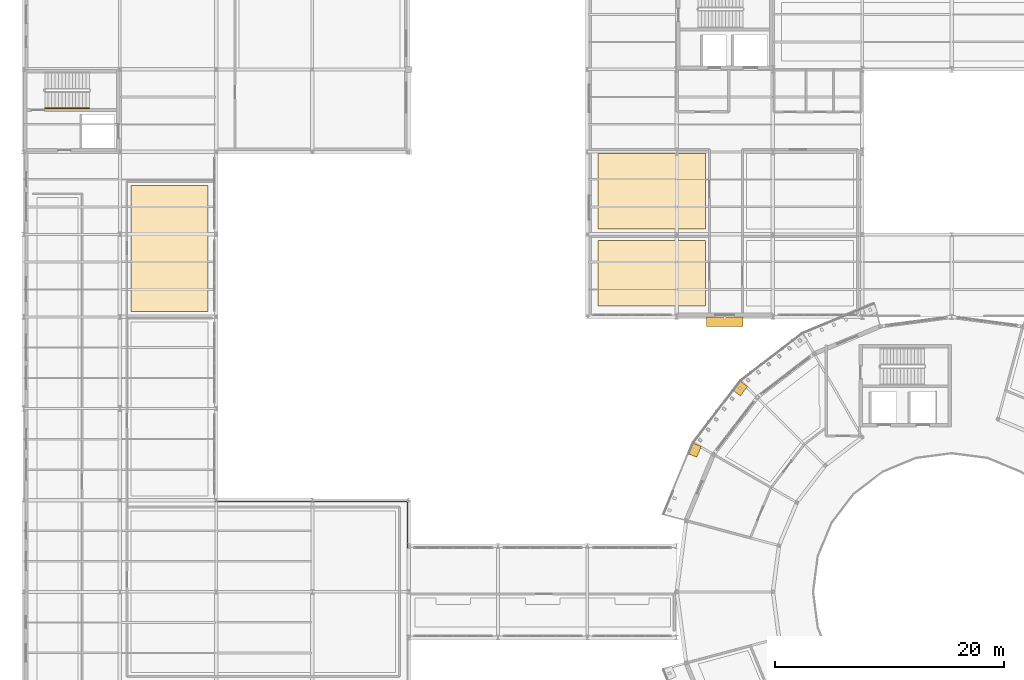
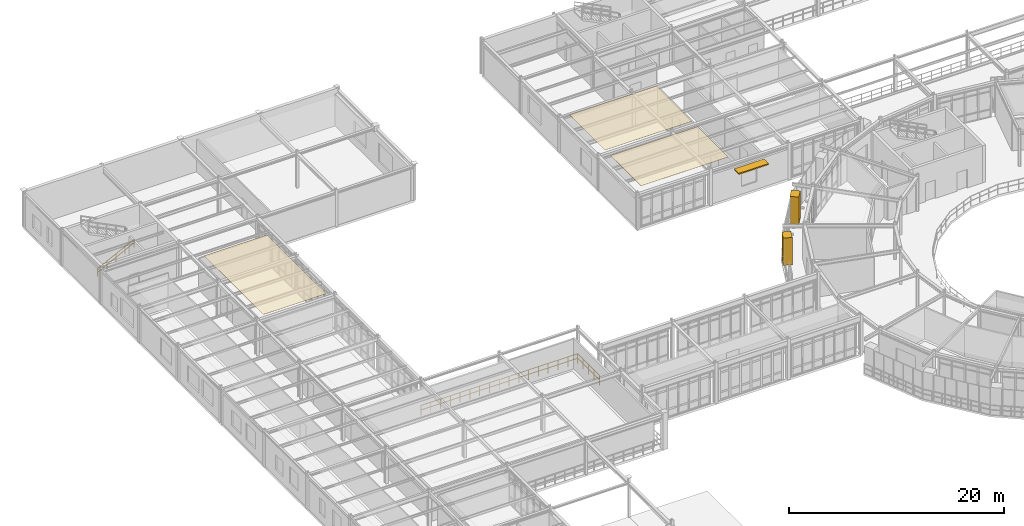
# One storey, part 84 of 90: 3 coverings, 3 shading devices, 2 railings.
"""IFC4 building model written with IfcOpenShell, lengths in metres."""

from ifc_helpers import new_model, si_unit, derived_unit, direction, frame, origin, origin_2d, place, context, subcontext, project, spatial, polyline, rectangle, circle, outline, extrude, material, layer, layer_set, type_object, element, save


model = new_model("IFC4")

# Units and contexts
model_context = context("Model", 3, precision=1e-05, world=origin(), true_north=direction((0.0, 1.0)))
body_context = subcontext(model_context, "Body", "Model", "MODEL_VIEW")
ifc_project = project(units=[si_unit("LENGTHUNIT", "METRE"), si_unit("AREAUNIT", "SQUARE_METRE"), si_unit("VOLUMEUNIT", "CUBIC_METRE"), si_unit("PLANEANGLEUNIT", "RADIAN"), si_unit("MASSUNIT", "GRAM", prefix="KILO"), derived_unit("THERMALTRANSMITTANCEUNIT", [(si_unit("POWERUNIT", "WATT"), 1), (si_unit("AREAUNIT", "SQUARE_METRE"), -1), (si_unit("THERMODYNAMICTEMPERATUREUNIT", "KELVIN"), -1)])], contexts=[model_context])

# Site, building, storey
site_placement = place(None, origin())
site = spatial("IfcSite", under=ifc_project, at=site_placement, CompositionType="ELEMENT")
building_placement = place(site_placement, origin())
building = spatial("IfcBuilding", under=site, at=building_placement, Name="Yasenodar Specialist Clinic", CompositionType="ELEMENT")
storey_placement = place(building_placement, frame((0.0, 0.0, 9.0)))
storey = spatial("IfcBuildingStorey", under=building, at=storey_placement, Name="L02", CompositionType="ELEMENT", Elevation=9.0)

# Coverings
ifc_material_1 = material(Name="Hygienic Acoustic Mineral-Fibre Ceiling")
ifc_layer = layer(ifc_material_1, 0.02490234375)
ifc_layer_set = layer_set([ifc_layer], Name="Hygienic Acoustic Mineral-Fibre Ceiling")
covering_type = type_object("IfcCoveringType", Name="COV-CEIL-AC", PredefinedType="CEILING", material=ifc_layer_set)
covering_1_placement = place(storey_placement, frame((0.0, 0.0, 3.925048828125)))
element("IfcCovering", 1, at=covering_1_placement, inside=storey, type_object=covering_type, Name="L02 Minor Day-Procedure Suite 01 Acoustic Ceiling", PredefinedType="CEILING", context=body_context, shape_type="SweptSolid", body=[
    extrude(outline(polyline([(59.5, 89.449951171875), (59.5, 83.75), (50.14990234375, 83.75), (50.14990234375, 89.449951171875), (59.5, 89.449951171875)])), origin(), (0.0, 0.0, 1.0), 0.02490234375),
])
covering_2_placement = place(storey_placement, frame((0.0, 0.0, 3.925048828125)))
element("IfcCovering", 2, at=covering_2_placement, inside=storey, type_object=covering_type, Name="L02 Minor Day-Procedure Suite 03 Acoustic Ceiling", PredefinedType="CEILING", context=body_context, shape_type="SweptSolid", body=[
    extrude(outline(polyline([(59.5, 97.050048828125), (59.5, 90.449951171875), (50.14990234375, 90.449951171875), (50.14990234375, 97.050048828125), (59.5, 97.050048828125)])), origin(), (0.0, 0.0, 1.0), 0.02490234375),
])
covering_3_placement = place(storey_placement, frame((0.0, 0.0, 3.925048828125)))
element("IfcCovering", 3, at=covering_3_placement, inside=storey, type_object=covering_type, Name="L02 Digestive Diagnostics Consulting Room Acoustic Ceiling", PredefinedType="CEILING", context=body_context, shape_type="SweptSolid", body=[
    extrude(outline(polyline([(16.10009765625, 94.25), (16.10009765625, 83.25), (9.35009765625, 83.25), (9.35009765625, 94.25), (16.10009765625, 94.25)])), origin(), (0.0, 0.0, 1.0), 0.02490234375),
])

# Railings
ifc_material_2 = material(Name="Steel S355 Painted Guardrail", Category="steel")
railing_type_1 = type_object("IfcRailingType", Name="RL-GRD-1120", PredefinedType="GUARDRAIL", material=ifc_material_2)
railing_1_placement = place(storey_placement, frame((33.5, 62.64990234375, 0.0)))
element("IfcRailing", 4, at=railing_1_placement, inside=storey, type_object=railing_type_1, Name="L02 V4 Forecourt Bridge North Guardrail", PredefinedType="GUARDRAIL", context=body_context, shape_type="SweptSolid", body=[
    extrude(circle(Radius=0.02392578125, at=origin_2d()), frame((0.0, 0.0, 1.09619140625), z_axis=(0.0, 1.0, 0.0), x_axis=(-1.0, 0.0, 0.0)), (0.0, 0.0, 1.0), 4.050048828125),
    extrude(circle(Radius=0.02392578125, at=origin_2d()), frame((0.0, 0.0, 0.58251953125), z_axis=(0.0, 1.0, 0.0), x_axis=(-1.0, 0.0, 0.0)), (0.0, 0.0, 1.0), 4.050048828125),
    extrude(circle(Radius=0.02392578125, at=origin_2d()), frame((0.0, 4.050048828125, 1.09619140625), z_axis=(-1.0, 0.0, 0.0), x_axis=(0.0, -1.0, 0.0)), (0.0, 0.0, 1.0), 16.800048828125),
    extrude(circle(Radius=0.02392578125, at=origin_2d()), frame((0.0, 4.050048828125, 0.58251953125), z_axis=(-1.0, 0.0, 0.0), x_axis=(0.0, -1.0, 0.0)), (0.0, 0.0, 1.0), 16.800048828125),
    extrude(circle(Radius=0.02099609375, at=origin_2d()), origin(), (0.0, 0.0, 1.0), 1.072021484375),
    extrude(circle(Radius=0.02099609375, at=origin_2d()), frame((0.0, 1.012451171875, 0.0)), (0.0, 0.0, 1.0), 1.072021484375),
    extrude(circle(Radius=0.02099609375, at=origin_2d()), frame((0.0, 2.02490234375, 0.0)), (0.0, 0.0, 1.0), 1.072021484375),
    extrude(circle(Radius=0.02099609375, at=origin_2d()), frame((0.0, 3.03759765625, 0.0)), (0.0, 0.0, 1.0), 1.072021484375),
    extrude(circle(Radius=0.02099609375, at=origin_2d()), frame((0.0, 4.050048828125, 0.0)), (0.0, 0.0, 1.0), 1.072021484375),
    extrude(circle(Radius=0.02099609375, at=origin_2d()), frame((-1.050048828125, 4.050048828125, 0.0)), (0.0, 0.0, 1.0), 1.072021484375),
    extrude(circle(Radius=0.02099609375, at=origin_2d()), frame((-2.10009765625, 4.050048828125, 0.0)), (0.0, 0.0, 1.0), 1.072021484375),
    extrude(circle(Radius=0.02099609375, at=origin_2d()), frame((-3.14990234375, 4.050048828125, 0.0)), (0.0, 0.0, 1.0), 1.072021484375),
    extrude(circle(Radius=0.02099609375, at=origin_2d()), frame((-4.199951171875, 4.050048828125, 0.0)), (0.0, 0.0, 1.0), 1.072021484375),
    extrude(circle(Radius=0.02099609375, at=origin_2d()), frame((-5.25, 4.050048828125, 0.0)), (0.0, 0.0, 1.0), 1.072021484375),
    extrude(circle(Radius=0.02099609375, at=origin_2d()), frame((-6.300048828125, 4.050048828125, 0.0)), (0.0, 0.0, 1.0), 1.072021484375),
    extrude(circle(Radius=0.02099609375, at=origin_2d()), frame((-7.35009765625, 4.050048828125, 0.0)), (0.0, 0.0, 1.0), 1.072021484375),
    extrude(circle(Radius=0.02099609375, at=origin_2d()), frame((-8.39990234375, 4.050048828125, 0.0)), (0.0, 0.0, 1.0), 1.072021484375),
    extrude(circle(Radius=0.02099609375, at=origin_2d()), frame((-9.449951171875, 4.050048828125, 0.0)), (0.0, 0.0, 1.0), 1.072021484375),
    extrude(circle(Radius=0.02099609375, at=origin_2d()), frame((-10.5, 4.050048828125, 0.0)), (0.0, 0.0, 1.0), 1.072021484375),
    extrude(circle(Radius=0.02099609375, at=origin_2d()), frame((-11.550048828125, 4.050048828125, 0.0)), (0.0, 0.0, 1.0), 1.072021484375),
    extrude(circle(Radius=0.02099609375, at=origin_2d()), frame((-12.60009765625, 4.050048828125, 0.0)), (0.0, 0.0, 1.0), 1.072021484375),
    extrude(circle(Radius=0.02099609375, at=origin_2d()), frame((-13.650146484375, 4.050048828125, 0.0)), (0.0, 0.0, 1.0), 1.072021484375),
    extrude(circle(Radius=0.02099609375, at=origin_2d()), frame((-14.699951171875, 4.050048828125, 0.0)), (0.0, 0.0, 1.0), 1.072021484375),
    extrude(circle(Radius=0.02099609375, at=origin_2d()), frame((-15.75, 4.050048828125, 0.0)), (0.0, 0.0, 1.0), 1.072021484375),
    extrude(circle(Radius=0.02099609375, at=origin_2d()), frame((-16.800048828125, 4.050048828125, 0.0)), (0.0, 0.0, 1.0), 1.072021484375),
])
ifc_material_3 = material(Name="Brushed Stainless Steel Handrail", Category="steel")
railing_type_2 = type_object("IfcRailingType", Name="RL-ST-HND", PredefinedType="HANDRAIL", material=ifc_material_3)
railing_2_placement = place(storey_placement, frame((1.840087890625, 101.010009765625, 0.14990234375)))
element("IfcRailing", 5, at=railing_2_placement, inside=storey, type_object=railing_type_2, Name="L02 ST-02 stair handrail 1", PredefinedType="HANDRAIL", context=body_context, shape_type="SweptSolid", body=[
    extrude(circle(Radius=0.02392578125, at=origin_2d()), frame((0.0, 0.0, 0.8759765625), z_axis=(0.894404793364, 0.0, 0.447258387967), x_axis=(0.0, 1.0, 0.0)), (0.0, 0.0, 1.0), 4.3603515625),
    extrude(circle(Radius=0.02392578125, at=origin_2d()), frame((0.0, 0.0, 0.468017578125), z_axis=(0.894404793364, 0.0, 0.447258387967), x_axis=(0.0, 1.0, 0.0)), (0.0, 0.0, 1.0), 4.3603515625),
    extrude(circle(Radius=0.02099609375, at=origin_2d()), origin(), (0.0, 0.0, 1.0), 0.851806640625),
    extrude(circle(Radius=0.02099609375, at=origin_2d()), frame((0.97509765625, 0.0, 0.487548828125)), (0.0, 0.0, 1.0), 0.851806640625),
    extrude(circle(Radius=0.02099609375, at=origin_2d()), frame((1.949951171875, 0.0, 0.97509765625)), (0.0, 0.0, 1.0), 0.851806640625),
    extrude(circle(Radius=0.02099609375, at=origin_2d()), frame((2.9248046875, 0.0, 1.462646484375)), (0.0, 0.0, 1.0), 0.851806640625),
    extrude(circle(Radius=0.02099609375, at=origin_2d()), frame((3.89990234375, 0.0, 1.9501953125)), (0.0, 0.0, 1.0), 0.851806640625),
])

# Shading devices
ifc_material_4 = material(Name="Bronze Anodized Aluminium Chhajja Sunshade", Category="aluminium")
shading_device_type_1 = type_object("IfcShadingDeviceType", Name="SHD-CHHAJJA-850", PredefinedType="JALOUSIE", material=ifc_material_4)
shading_device_placement = place(storey_placement, frame((61.199951171875, 82.3798828125, 3.0078125), z_axis=(0.0, 0.0, 1.0), x_axis=(-1.0, 0.0, 0.0)))
element("IfcShadingDevice", 6, at=shading_device_placement, inside=storey, type_object=shading_device_type_1, Name="L02 Chhajja Solar Overhang 454", PredefinedType="JALOUSIE", context=body_context, shape_type="SweptSolid", body=[
    extrude(rectangle(XDim=3.199951171875, YDim=0.85009765625, at=origin_2d()), origin(), (0.0, 0.0, 1.0), 0.139892578125),
])
ifc_material_5 = material(Name="Thermally Modified Larch and Bronze Girih Jali Shutter")
shading_device_type_2 = type_object("IfcShadingDeviceType", Name="SHD-JALI-850", PredefinedType="SHUTTER", material=ifc_material_5)
for number, where, z_axis, x_axis, name in (
    (7, (62.5234375, 76.569580078125, -0.005126953125), (0.0, 0.0, 1.0), (-0.608764217148, -0.793351200869, 0.0), "L02 Mughal Girih Jali Sliding Shutter Frame 0148"),
    (8, (58.553955078125, 71.18212890625, -0.005126953125), (0.0, 0.0, 1.0), (-0.382686667195, -0.923878192594, 0.0), "L02 Mughal Girih Jali Sliding Shutter Frame 0154"),
):
    element("IfcShadingDevice", number, at=place(storey_placement, frame(where, z_axis=z_axis, x_axis=x_axis)), inside=storey, type_object=shading_device_type_2, Name=name, PredefinedType="SHUTTER", context=body_context, shape_type="SweptSolid", body=[
        extrude(rectangle(XDim=1.02001953125, YDim=0.85009765625, at=origin_2d()), origin(), (0.0, 0.0, 1.0), 3.10009765625),
    ])

save(model, "model.ifc")
